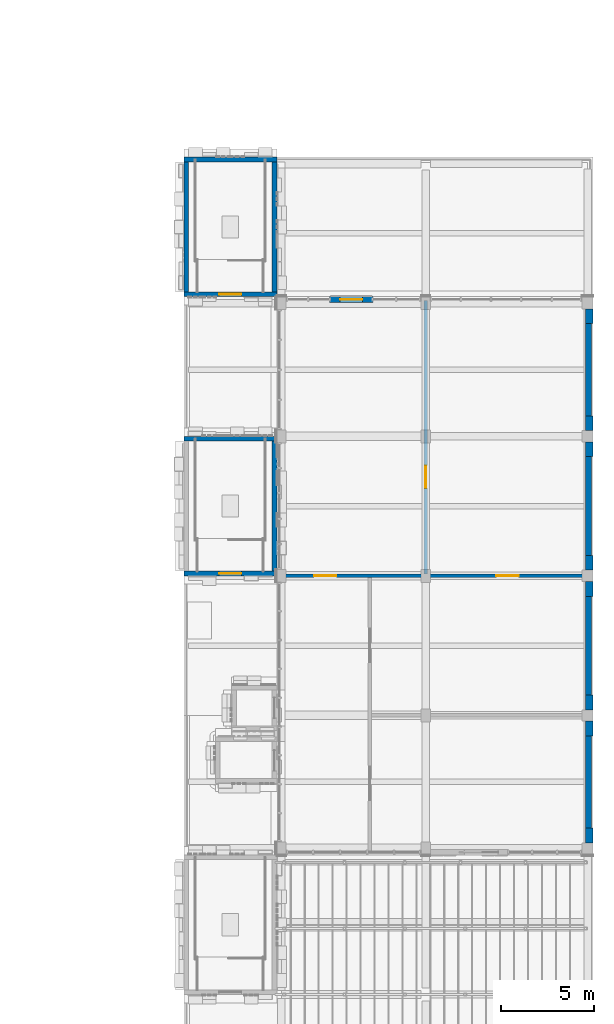
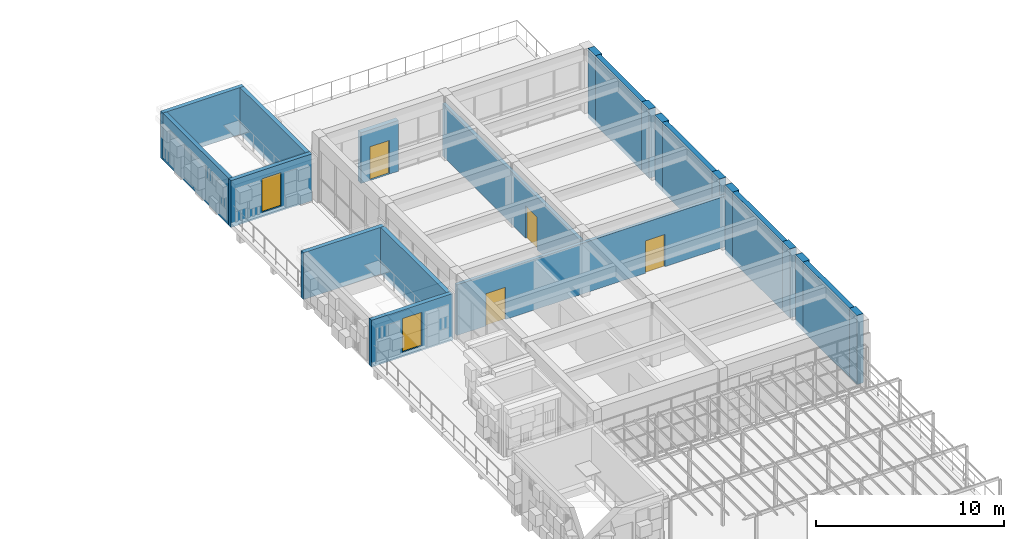
# One storey, part 18 of 26: 22 walls, 6 doors, 6 openings.
"""IFC4 building model written with IfcOpenShell, lengths in metres."""

from ifc_helpers import new_model, si_unit, direction, frame, frame_2d, origin, place, context, subcontext, project, spatial, rectangle, extrude, material, layer, layer_set, type_object, element, fill, save


model = new_model("IFC4")

# Units and contexts
model_context = context("Model", 3, precision=1e-05, world=origin(), true_north=direction((0.0, 1.0)))
body_context = subcontext(model_context, "Body", "Model", "MODEL_VIEW")
ifc_project = project(units=[si_unit("LENGTHUNIT", "METRE"), si_unit("AREAUNIT", "SQUARE_METRE"), si_unit("VOLUMEUNIT", "CUBIC_METRE"), si_unit("PLANEANGLEUNIT", "RADIAN"), si_unit("MASSUNIT", "GRAM", prefix="KILO")], contexts=[model_context])

# Site, building, storey
site_placement = place(None, origin())
site = spatial("IfcSite", under=ifc_project, at=site_placement, CompositionType="ELEMENT")
building_placement = place(site_placement, origin())
building = spatial("IfcBuilding", under=site, at=building_placement, Name="Sun Court Science Centre", CompositionType="ELEMENT")
storey_placement = place(building_placement, frame((0.0, 0.0, 29.25)))
storey = spatial("IfcBuildingStorey", under=building, at=storey_placement, Name="L06", CompositionType="ELEMENT", Elevation=29.25)

# Wall, opening, door
ifc_material_1 = material(Name="Clay masonry", Category="masonry")
ifc_layer_1 = layer(ifc_material_1, 0.300048828125)
ifc_layer_set_1 = layer_set([ifc_layer_1], Name="Clay masonry")
wall_type_1 = type_object("IfcWallType", Name="Clay masonry infill wall 300", PredefinedType="SOLIDWALL", material=ifc_layer_set_1)
wall_1_placement = place(storey_placement, frame((89.840087890625, 73.35009765625, 0.0), z_axis=(0.0, 0.0, 1.0), x_axis=(1.0, 0.0, 0.0)))
wall_1 = element("IfcWall", 1, at=wall_1_placement, inside=storey, type_object=wall_type_1, Name="External infill wall L06 observatory north face 01", PredefinedType="SOLIDWALL", context=body_context, shape_type="SweptSolid", body=[
    extrude(rectangle(XDim=2.31982421875, YDim=0.300048828125, at=frame_2d((1.159912109375, 0.0))), origin(), (0.0, 0.0, 1.0), 3.300048828125),
])
opening_1_placement = place(wall_1_placement, frame((0.56005859375, 0.0, 0.0)))
opening_1 = element("IfcOpeningElement", 2, at=opening_1_placement, cuts=wall_1, Name="Opening D-L06-012", PredefinedType="OPENING", context=body_context, shape_type="SweptSolid", body=[
    extrude(rectangle(XDim=1.199951171875, YDim=2.199951171875, at=frame_2d((0.60009765625, 1.10009765625))), frame((0.0, 0.159912109375, 0.0), z_axis=(0.0, -1.0, 0.0), x_axis=(1.0, 0.0, 0.0)), (0.0, 0.0, 1.0), 0.320068359375),
])
ifc_material_2 = material(Name="Steel and glass", Category="steel")
door_type_1 = type_object("IfcDoorType", Name="Exterior door 1200 x 2200 single", OperationType="SINGLE_SWING_LEFT", PredefinedType="DOOR", material=ifc_material_2)
door_1_placement = place(opening_1_placement, origin())
door_1 = element("IfcDoor", 3, at=door_1_placement, inside=storey, type_object=door_type_1, Name="Exterior door D-L06-012 to the observatory terrace", OperationType="SINGLE_SWING_LEFT", OverallHeight=2.199951171875, OverallWidth=1.199951171875, PredefinedType="DOOR", context=body_context, shape_type="SweptSolid", body=[
    extrude(rectangle(XDim=1.199951171875, YDim=2.199951171875, at=frame_2d((0.60009765625, 1.10009765625))), frame((0.0, 0.02490234375, 0.0), z_axis=(0.0, -1.0, 0.0), x_axis=(1.0, 0.0, 0.0)), (0.0, 0.0, 1.0), 0.050048828125),
])
fill(opening_1, door_1)

# Wall, openings, doors
ifc_material_3 = material(Name="Concrete block", Category="concrete")
ifc_layer_2 = layer(ifc_material_3, 0.199951171875)
ifc_layer_set_2 = layer_set([ifc_layer_2], Name="Concrete block")
wall_type_2 = type_object("IfcWallType", Name="Partition 200 block EI60", PredefinedType="PARTITIONING", material=ifc_layer_set_2)
wall_2_placement = place(storey_placement, frame((87.199951171875, 58.5, 0.0), z_axis=(0.0, 0.0, 1.0), x_axis=(1.0, 0.0, 0.0)))
wall_2 = element("IfcWall", 4, at=wall_2_placement, inside=storey, type_object=wall_type_2, Name="L06 partition 002", PredefinedType="PARTITIONING", context=body_context, shape_type="SweptSolid", body=[
    extrude(rectangle(XDim=16.60009765625, YDim=0.199951171875, at=frame_2d((8.300048828125, 0.0))), origin(), (0.0, 0.0, 1.0), 3.300048828125),
])
opening_2_placement = place(wall_2_placement, frame((1.800048828125, 0.0, 0.0)))
opening_2 = element("IfcOpeningElement", 5, at=opening_2_placement, cuts=wall_2, Name="Opening D-L06-006", PredefinedType="OPENING", context=body_context, shape_type="SweptSolid", body=[
    extrude(rectangle(XDim=1.199951171875, YDim=2.10009765625, at=frame_2d((0.60009765625, 1.050048828125))), frame((0.0, 0.10986328125, 0.0), z_axis=(0.0, -1.0, 0.0), x_axis=(1.0, 0.0, 0.0)), (0.0, 0.0, 1.0), 0.219970703125),
])
opening_3_placement = place(wall_2_placement, frame((11.59912109375, 0.0, 0.0)))
opening_3 = element("IfcOpeningElement", 6, at=opening_3_placement, cuts=wall_2, Name="Opening D-L06-007", PredefinedType="OPENING", context=body_context, shape_type="SweptSolid", body=[
    extrude(rectangle(XDim=1.199951171875, YDim=2.10009765625, at=frame_2d((0.60009765625, 1.050048828125))), frame((0.0, 0.10986328125, 0.0), z_axis=(0.0, -1.0, 0.0), x_axis=(1.0, 0.0, 0.0)), (0.0, 0.0, 1.0), 0.219970703125),
])
ifc_material_4 = material(Name="Timber", Category="wood")
door_type_2 = type_object("IfcDoorType", Name="Door 1200x2100 single leaf", OperationType="NOTDEFINED", PredefinedType="DOOR", material=ifc_material_4)
door_2_placement = place(opening_2_placement, origin())
door_2 = element("IfcDoor", 7, at=door_2_placement, inside=storey, type_object=door_type_2, Name="Door D-L06-006", OperationType="SINGLE_SWING_RIGHT", OverallHeight=2.10009765625, OverallWidth=1.199951171875, PredefinedType="DOOR", context=body_context, shape_type="SweptSolid", body=[
    extrude(rectangle(XDim=1.199951171875, YDim=2.10009765625, at=frame_2d((0.60009765625, 1.050048828125))), frame((0.0, 0.02490234375, 0.0), z_axis=(0.0, -1.0, 0.0), x_axis=(1.0, 0.0, 0.0)), (0.0, 0.0, 1.0), 0.050048828125),
])
fill(opening_2, door_2)
door_3_placement = place(opening_3_placement, origin())
door_3 = element("IfcDoor", 8, at=door_3_placement, inside=storey, type_object=door_type_2, Name="Door D-L06-007", OperationType="SINGLE_SWING_LEFT", OverallHeight=2.10009765625, OverallWidth=1.199951171875, PredefinedType="DOOR", context=body_context, shape_type="SweptSolid", body=[
    extrude(rectangle(XDim=1.199951171875, YDim=2.10009765625, at=frame_2d((0.60009765625, 1.050048828125))), frame((0.0, 0.02490234375, 0.0), z_axis=(0.0, -1.0, 0.0), x_axis=(1.0, 0.0, 0.0)), (0.0, 0.0, 1.0), 0.050048828125),
])
fill(opening_3, door_3)

# Wall, opening, door
ifc_material_5 = material(Name="Gypsum board")
ifc_layer_3 = layer(ifc_material_5, 0.199951171875)
ifc_layer_set_3 = layer_set([ifc_layer_3], Name="Gypsum board")
wall_type_3 = type_object("IfcWallType", Name="Partition 200 stud EI30", PredefinedType="PARTITIONING", material=ifc_layer_set_3)
wall_3_placement = place(storey_placement, frame((95.0, 58.60009765625, 0.0), z_axis=(0.0, 0.0, 1.0), x_axis=(0.0, 1.0, 0.0)))
wall_3 = element("IfcWall", 9, at=wall_3_placement, inside=storey, type_object=wall_type_3, Name="L06 partition 003", PredefinedType="PARTITIONING", context=body_context, shape_type="SweptSolid", body=[
    extrude(rectangle(XDim=14.699951171875, YDim=0.199951171875, at=frame_2d((7.35009765625, 0.0))), origin(), (0.0, 0.0, 1.0), 3.39990234375),
])
opening_4_placement = place(wall_3_placement, frame((4.616943359375, 0.0, 0.0)))
opening_4 = element("IfcOpeningElement", 10, at=opening_4_placement, cuts=wall_3, Name="Opening D-L06-008", PredefinedType="OPENING", context=body_context, shape_type="SweptSolid", body=[
    extrude(rectangle(XDim=1.199951171875, YDim=2.10009765625, at=frame_2d((0.60009765625, 1.050048828125))), frame((0.0, 0.10986328125, 0.0), z_axis=(0.0, -1.0, 0.0), x_axis=(1.0, 0.0, 0.0)), (0.0, 0.0, 1.0), 0.219970703125),
])
door_4_placement = place(opening_4_placement, origin())
door_4 = element("IfcDoor", 11, at=door_4_placement, inside=storey, type_object=door_type_2, Name="Door D-L06-008", OperationType="SINGLE_SWING_RIGHT", OverallHeight=2.10009765625, OverallWidth=1.199951171875, PredefinedType="DOOR", context=body_context, shape_type="SweptSolid", body=[
    extrude(rectangle(XDim=1.199951171875, YDim=2.10009765625, at=frame_2d((0.60009765625, 1.050048828125))), frame((0.0, 0.02490234375, 0.0), z_axis=(0.0, -1.0, 0.0), x_axis=(1.0, 0.0, 0.0)), (0.0, 0.0, 1.0), 0.050048828125),
])
fill(opening_4, door_4)

# Walls
ifc_material_6 = material(Name="Concrete C30/37", Category="concrete")
ifc_layer_4 = layer(ifc_material_6, 0.39990234375)
ifc_layer_set_4 = layer_set([ifc_layer_4], Name="Concrete C30/37")
wall_type_4 = type_object("IfcWallType", Name="RC party wall exterior 400", PredefinedType="SOLIDWALL", material=ifc_layer_set_4)
for number, where, z_axis, x_axis, name in (
    (12, (103.800048828125, 44.14990234375, -0.300048828125), (0.0, 0.0, 1.0), (0.0, 1.0, 0.0), "East party wall L06"),
    (13, (103.800048828125, 49.89990234375, -0.300048828125), (0.0, 0.0, 1.0), (0.0, 1.0, 0.0), "East party wall L06"),
    (14, (103.800048828125, 51.300048828125, -0.300048828125), (0.0, 0.0, 1.0), (0.0, 1.0, 0.0), "East party wall L06"),
    (15, (103.800048828125, 57.39990234375, -0.300048828125), (0.0, 0.0, 1.0), (0.0, 1.0, 0.0), "East party wall L06"),
    (16, (103.800048828125, 58.800048828125, -0.300048828125), (0.0, 0.0, 1.0), (0.0, 1.0, 0.0), "East party wall L06"),
    (17, (103.800048828125, 64.89990234375, -0.300048828125), (0.0, 0.0, 1.0), (0.0, 1.0, 0.0), "East party wall L06"),
    (18, (103.800048828125, 66.300048828125, -0.300048828125), (0.0, 0.0, 1.0), (0.0, 1.0, 0.0), "East party wall L06"),
    (19, (103.800048828125, 72.050048828125, -0.300048828125), (0.0, 0.0, 1.0), (0.0, 1.0, 0.0), "East party wall L06"),
):
    element("IfcWall", number, at=place(storey_placement, frame(where, z_axis=z_axis, x_axis=x_axis)), inside=storey, type_object=wall_type_4, Name=name, PredefinedType="SOLIDWALL", context=body_context, shape_type="SweptSolid", body=[
        extrude(rectangle(XDim=0.800048828125, YDim=0.39990234375, at=frame_2d((0.39990234375, 0.0))), origin(), (0.0, 0.0, 1.0), 4.5),
    ])
ifc_material_7 = material(Name="Concrete C30/37", Category="concrete")
ifc_layer_5 = layer(ifc_material_7, 0.300048828125)
ifc_layer_set_5 = layer_set([ifc_layer_5], Name="Concrete C30/37")
wall_type_5 = type_object("IfcWallType", Name="RC party wall panel exterior 300", PredefinedType="SOLIDWALL", material=ifc_layer_set_5)
wall_4_placement = place(storey_placement, frame((103.75, 44.949951171875, -0.300048828125), z_axis=(0.0, 0.0, 1.0), x_axis=(0.0, 1.0, 0.0)))
element("IfcWall", 20, at=wall_4_placement, inside=storey, type_object=wall_type_5, Name="East party wall L06 panel", PredefinedType="SOLIDWALL", context=body_context, shape_type="SweptSolid", body=[
    extrude(rectangle(XDim=4.949951171875, YDim=0.300048828125, at=frame_2d((2.47509765625, 0.0))), origin(), (0.0, 0.0, 1.0), 4.5),
])
for number, where, z_axis, x_axis, name in (
    (21, (103.75, 52.10009765625, -0.300048828125), (0.0, 0.0, 1.0), (0.0, 1.0, 0.0), "East party wall L06 panel"),
    (22, (103.75, 59.60009765625, -0.300048828125), (0.0, 0.0, 1.0), (0.0, 1.0, 0.0), "East party wall L06 panel"),
):
    element("IfcWall", number, at=place(storey_placement, frame(where, z_axis=z_axis, x_axis=x_axis)), inside=storey, type_object=wall_type_5, Name=name, PredefinedType="SOLIDWALL", context=body_context, shape_type="SweptSolid", body=[
        extrude(rectangle(XDim=5.2998046875, YDim=0.300048828125, at=frame_2d((2.64990234375, 0.0))), origin(), (0.0, 0.0, 1.0), 4.5),
    ])
wall_5_placement = place(storey_placement, frame((103.75, 67.10009765625, -0.300048828125), z_axis=(0.0, 0.0, 1.0), x_axis=(0.0, 1.0, 0.0)))
element("IfcWall", 23, at=wall_5_placement, inside=storey, type_object=wall_type_5, Name="East party wall L06 panel", PredefinedType="SOLIDWALL", context=body_context, shape_type="SweptSolid", body=[
    extrude(rectangle(XDim=4.949951171875, YDim=0.300048828125, at=frame_2d((2.47509765625, 0.0))), origin(), (0.0, 0.0, 1.0), 4.5),
])

# Wall, opening, door
ifc_material_8 = material(Name="Concrete C30/37", Category="concrete")
ifc_layer_6 = layer(ifc_material_8, 0.25)
ifc_layer_set_6 = layer_set([ifc_layer_6], Name="Concrete C30/37")
wall_type_6 = type_object("IfcWallType", Name="RC stair core wall 250", PredefinedType="SHEAR", material=ifc_layer_set_6)
wall_6_placement = place(storey_placement, frame((82.0, 58.625, -0.300048828125), z_axis=(0.0, 0.0, 1.0), x_axis=(1.0, 0.0, 0.0)))
wall_6 = element("IfcWall", 24, at=wall_6_placement, inside=storey, type_object=wall_type_6, Name="Stair core SL3 wall S, L06", PredefinedType="SHEAR", context=body_context, shape_type="SweptSolid", body=[
    extrude(rectangle(XDim=5.0, YDim=0.25, at=frame_2d((2.5, 0.0))), origin(), (0.0, 0.0, 1.0), 3.050048828125),
])
opening_5_placement = place(wall_6_placement, frame((1.89892578125, 0.0, 0.300048828125)))
opening_5 = element("IfcOpeningElement", 25, at=opening_5_placement, cuts=wall_6, Name="Opening D-L06-003", PredefinedType="OPENING", context=body_context, shape_type="SweptSolid", body=[
    extrude(rectangle(XDim=1.199951171875, YDim=2.199951171875, at=frame_2d((0.60009765625, 1.10009765625))), frame((0.0, 0.135009765625, 0.0), z_axis=(0.0, -1.0, 0.0), x_axis=(1.0, 0.0, 0.0)), (0.0, 0.0, 1.0), 0.27001953125),
])
ifc_material_9 = material(Name="Steel", Category="steel")
door_type_3 = type_object("IfcDoorType", Name="Door 1200x2200 single leaf FD60", OperationType="NOTDEFINED", PredefinedType="DOOR", material=ifc_material_9)
door_5_placement = place(opening_5_placement, origin())
door_5 = element("IfcDoor", 26, at=door_5_placement, inside=storey, type_object=door_type_3, Name="Door D-L06-003", OperationType="SINGLE_SWING_RIGHT", OverallHeight=2.199951171875, OverallWidth=1.199951171875, PredefinedType="DOOR", context=body_context, shape_type="SweptSolid", body=[
    extrude(rectangle(XDim=1.199951171875, YDim=2.199951171875, at=frame_2d((0.60009765625, 1.10009765625))), frame((0.0, 0.02490234375, 0.0), z_axis=(0.0, -1.0, 0.0), x_axis=(1.0, 0.0, 0.0)), (0.0, 0.0, 1.0), 0.050048828125),
])
fill(opening_5, door_5)

# Walls
wall_7_placement = place(storey_placement, frame((86.875, 58.75, -0.300048828125), z_axis=(0.0, 0.0, 1.0), x_axis=(0.0, 1.0, 0.0)))
element("IfcWall", 27, at=wall_7_placement, inside=storey, type_object=wall_type_6, Name="Stair core SL3 wall E, L06", PredefinedType="SHEAR", context=body_context, shape_type="SweptSolid", body=[
    extrude(rectangle(XDim=7.0, YDim=0.25, at=frame_2d((3.5, 0.0))), origin(), (0.0, 0.0, 1.0), 3.050048828125),
])
wall_8_placement = place(storey_placement, frame((82.0, 65.875, -0.300048828125), z_axis=(0.0, 0.0, 1.0), x_axis=(1.0, 0.0, 0.0)))
element("IfcWall", 28, at=wall_8_placement, inside=storey, type_object=wall_type_6, Name="Stair core SL3 wall N, L06", PredefinedType="SHEAR", context=body_context, shape_type="SweptSolid", body=[
    extrude(rectangle(XDim=5.0, YDim=0.25, at=frame_2d((2.5, 0.0))), origin(), (0.0, 0.0, 1.0), 3.050048828125),
])

# Wall, opening, door
wall_9_placement = place(storey_placement, frame((82.0, 73.625, -0.300048828125), z_axis=(0.0, 0.0, 1.0), x_axis=(1.0, 0.0, 0.0)))
wall_9 = element("IfcWall", 29, at=wall_9_placement, inside=storey, type_object=wall_type_6, Name="Stair core SL4 wall S, L06", PredefinedType="SHEAR", context=body_context, shape_type="SweptSolid", body=[
    extrude(rectangle(XDim=5.0, YDim=0.25, at=frame_2d((2.5, 0.0))), origin(), (0.0, 0.0, 1.0), 3.050048828125),
])
opening_6_placement = place(wall_9_placement, frame((1.89990234375, 0.0, 0.300048828125)))
opening_6 = element("IfcOpeningElement", 30, at=opening_6_placement, cuts=wall_9, Name="Opening D-L06-010", PredefinedType="OPENING", context=body_context, shape_type="SweptSolid", body=[
    extrude(rectangle(XDim=1.199951171875, YDim=2.199951171875, at=frame_2d((0.60009765625, 1.10009765625))), frame((0.0, 0.135009765625, 0.0), z_axis=(0.0, -1.0, 0.0), x_axis=(1.0, 0.0, 0.0)), (0.0, 0.0, 1.0), 0.27001953125),
])
door_6_placement = place(opening_6_placement, origin())
door_6 = element("IfcDoor", 31, at=door_6_placement, inside=storey, type_object=door_type_1, Name="Exterior door D-L06-010 to the observatory terrace", OperationType="SINGLE_SWING_LEFT", OverallHeight=2.199951171875, OverallWidth=1.199951171875, PredefinedType="DOOR", context=body_context, shape_type="SweptSolid", body=[
    extrude(rectangle(XDim=1.199951171875, YDim=2.199951171875, at=frame_2d((0.60009765625, 1.10009765625))), frame((0.0, 0.02490234375, 0.0), z_axis=(0.0, -1.0, 0.0), x_axis=(1.0, 0.0, 0.0)), (0.0, 0.0, 1.0), 0.050048828125),
])
fill(opening_6, door_6)

# Walls
wall_10_placement = place(storey_placement, frame((86.875, 73.75, -0.300048828125), z_axis=(0.0, 0.0, 1.0), x_axis=(0.0, 1.0, 0.0)))
element("IfcWall", 32, at=wall_10_placement, inside=storey, type_object=wall_type_6, Name="Stair core SL4 wall E, L06", PredefinedType="SHEAR", context=body_context, shape_type="SweptSolid", body=[
    extrude(rectangle(XDim=7.0, YDim=0.25, at=frame_2d((3.5, 0.0))), origin(), (0.0, 0.0, 1.0), 3.050048828125),
])
wall_11_placement = place(storey_placement, frame((82.0, 80.875, -0.300048828125), z_axis=(0.0, 0.0, 1.0), x_axis=(1.0, 0.0, 0.0)))
element("IfcWall", 33, at=wall_11_placement, inside=storey, type_object=wall_type_6, Name="Stair core SL4 wall N, L06", PredefinedType="SHEAR", context=body_context, shape_type="SweptSolid", body=[
    extrude(rectangle(XDim=5.0, YDim=0.25, at=frame_2d((2.5, 0.0))), origin(), (0.0, 0.0, 1.0), 3.050048828125),
])
wall_12_placement = place(storey_placement, frame((82.125, 73.75, -0.300048828125), z_axis=(0.0, 0.0, 1.0), x_axis=(0.0, 1.0, 0.0)))
element("IfcWall", 34, at=wall_12_placement, inside=storey, type_object=wall_type_6, Name="Stair core SL4 wall W, L06", PredefinedType="SHEAR", context=body_context, shape_type="SweptSolid", body=[
    extrude(rectangle(XDim=7.0, YDim=0.25, at=frame_2d((3.5, 0.0))), origin(), (0.0, 0.0, 1.0), 3.050048828125),
])

save(model, "model.ifc")
